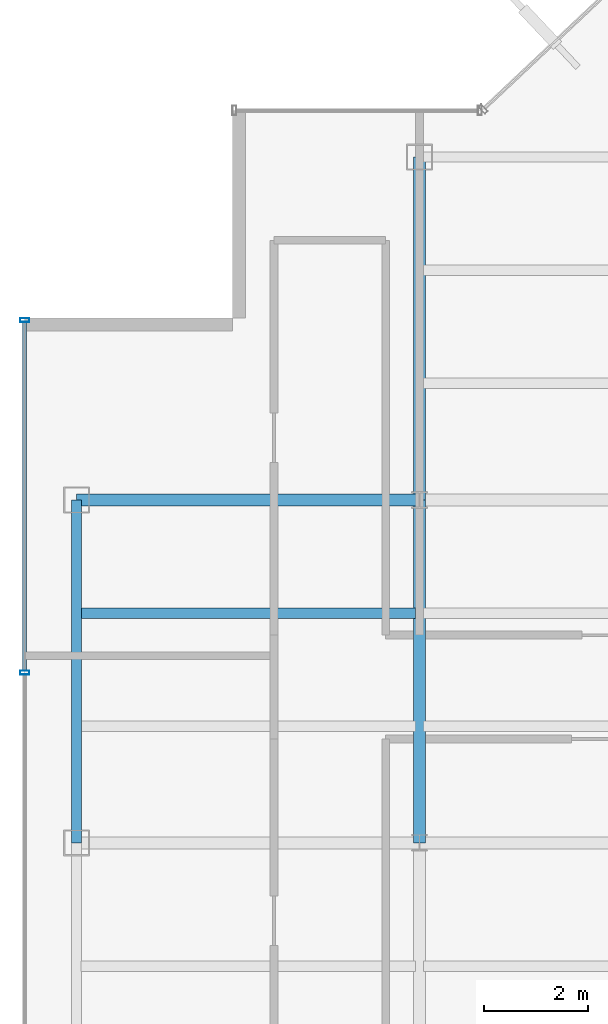
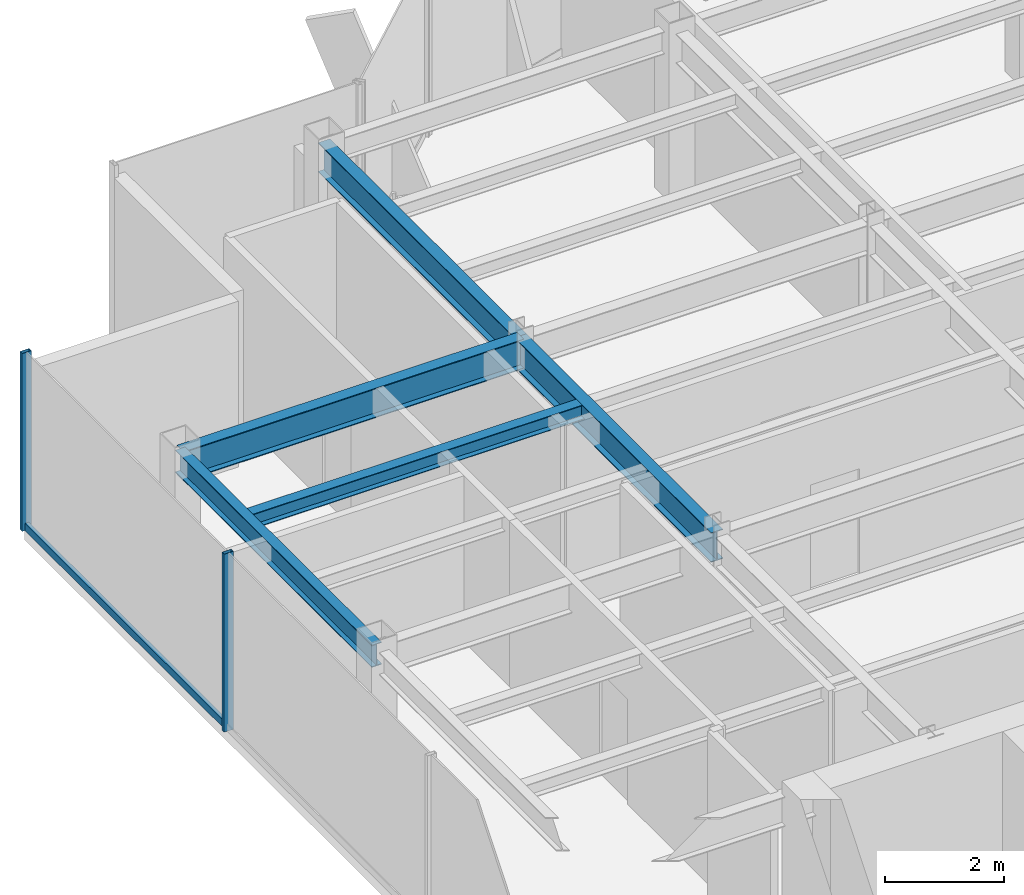
# One storey, part 7 of 22: 5 beams, 3 members, 1 element without a shape of its own.
"""IFC4 building model written with IfcOpenShell, lengths in metres."""

from ifc_helpers import new_model, si_unit, derived_unit, direction, frame, origin, origin_2d, place, context, subcontext, project, spatial, hollow_rectangle, i_section, extrude, source, transform, mapped, material, material_profile, profile_set, type_object, element, aggregate, save


model = new_model("IFC4")

# Units and contexts
model_context = context("Model", 3, precision=1e-05, world=origin(), true_north=direction((0.0, 1.0)))
body_context = subcontext(model_context, "Body", "Model", "MODEL_VIEW")
ifc_project = project(units=[si_unit("LENGTHUNIT", "METRE"), si_unit("AREAUNIT", "SQUARE_METRE"), si_unit("VOLUMEUNIT", "CUBIC_METRE"), si_unit("PLANEANGLEUNIT", "RADIAN"), si_unit("MASSUNIT", "GRAM", prefix="KILO"), derived_unit("THERMALTRANSMITTANCEUNIT", [(si_unit("POWERUNIT", "WATT"), 1), (si_unit("LENGTHUNIT", "METRE"), -2), (si_unit("THERMODYNAMICTEMPERATUREUNIT", "KELVIN"), -1)])], contexts=[model_context])

# Site, building, storey
site_placement = place(None, origin())
site = spatial("IfcSite", under=ifc_project, at=site_placement, CompositionType="ELEMENT")
building_placement = place(site_placement, origin())
building = spatial("IfcBuilding", under=site, at=building_placement, Name="Skarnbrae Concourse Arena and Tower", CompositionType="ELEMENT")
storey_placement = place(building_placement, frame((0.0, 0.0, 273.39990234375)))
storey = spatial("IfcBuildingStorey", under=building, at=storey_placement, Name="L71", CompositionType="ELEMENT", Elevation=273.39990234375)

# Beams
ifc_material_1 = material(Name="Steel CSA G40.21 350W", Category="steel")
ifc_material_profile_1 = material_profile(ifc_material_1, i_section(OverallWidth=0.22802734375, OverallDepth=0.60791015625, WebThickness=0.01123046875, FlangeThickness=0.017333984375, at=origin_2d()), Name="W610X113")
ifc_profile_set_1 = profile_set([ifc_material_profile_1], Name="Steel CSA G40.21 350W")
beam_type_1 = type_object("IfcBeamType", Name="BM-GIRD-W610X113", PredefinedType="BEAM", material=ifc_profile_set_1)
shared_shape_1 = source(origin(), body_context, "Body", "SweptSolid", [
    extrude(i_section(OverallWidth=0.22802734375, OverallDepth=0.60791015625, WebThickness=0.01123046875, FlangeThickness=0.017333984375, at=origin_2d()), origin(), (0.0, 0.0, 1.0), 6.60009765625),
])
for number, where, z_axis, x_axis, name in (
    (1, (1.0, 27.800048828125, 3.09619140625), (1.0, 0.0, 0.0), (0.0, 1.0, 0.0), "L71 Primary E-W girder Y27.8-1"),
    (2, (7.60009765625, 21.199951171875, 3.09619140625), (0.0, 1.0, 0.0), (-1.0, 0.0, 0.0), "L71 Primary N-S girder X7.6-2"),
):
    element("IfcBeam", number, at=place(storey_placement, frame(where, z_axis=z_axis, x_axis=x_axis)), inside=storey, type_object=beam_type_1, Name=name, PredefinedType="BEAM", context=body_context, shape_type="MappedRepresentation", body=[
        mapped(shared_shape_1, transform((0.0, 0.0, 0.0))),
    ])
ifc_material_profile_2 = material_profile(ifc_material_1, i_section(OverallWidth=0.19091796875, OverallDepth=0.4599609375, WebThickness=0.010009765625, FlangeThickness=0.01611328125, at=origin_2d()), Name="W460X82")
ifc_profile_set_2 = profile_set([ifc_material_profile_2], Name="Steel CSA G40.21 350W")
beam_type_2 = type_object("IfcBeamType", Name="BM-SPAN-W460X82", PredefinedType="SPANDREL", material=ifc_profile_set_2)
shared_shape_2 = source(origin(), body_context, "Body", "SweptSolid", [
    extrude(i_section(OverallWidth=0.19091796875, OverallDepth=0.4599609375, WebThickness=0.010009765625, FlangeThickness=0.01611328125, at=origin_2d()), origin(), (0.0, 0.0, 1.0), 6.60009765625),
])
beam_1_placement = place(storey_placement, frame((1.0, 21.199951171875, 3.170166015625), z_axis=(0.0, 1.0, 0.0), x_axis=(-1.0, 0.0, 0.0)))
element("IfcBeam", 3, at=beam_1_placement, inside=storey, type_object=beam_type_2, Name="L71 Perimeter spandrel X1.0-3", PredefinedType="SPANDREL", context=body_context, shape_type="MappedRepresentation", body=[
    mapped(shared_shape_2, transform((0.0, 0.0, 0.0))),
])
shared_shape_3 = source(origin(), body_context, "Body", "SweptSolid", [
    extrude(i_section(OverallWidth=0.22802734375, OverallDepth=0.60791015625, WebThickness=0.01123046875, FlangeThickness=0.017333984375, at=origin_2d()), origin(), (0.0, 0.0, 1.0), 6.599853515625),
])
beam_2_placement = place(storey_placement, frame((7.60009765625, 27.800048828125, 3.09619140625), z_axis=(0.0, 1.0, 0.0), x_axis=(-1.0, 0.0, 0.0)))
element("IfcBeam", 4, at=beam_2_placement, inside=storey, type_object=beam_type_1, Name="L71 Primary N-S girder X7.6-3", PredefinedType="BEAM", context=body_context, shape_type="MappedRepresentation", body=[
    mapped(shared_shape_3, transform((0.0, 0.0, 0.0))),
])
ifc_material_profile_3 = material_profile(ifc_material_1, i_section(OverallWidth=0.202880859375, OverallDepth=0.302978515625, WebThickness=0.007568359375, FlangeThickness=0.01318359375, at=origin_2d()), Name="W310X60")
ifc_profile_set_3 = profile_set([ifc_material_profile_3], Name="Steel CSA G40.21 350W")
beam_type_3 = type_object("IfcBeamType", Name="BM-JOIST-W310X60", PredefinedType="JOIST", material=ifc_profile_set_3)
shared_shape_4 = source(origin(), body_context, "Body", "SweptSolid", [
    extrude(i_section(OverallWidth=0.202880859375, OverallDepth=0.302978515625, WebThickness=0.007568359375, FlangeThickness=0.01318359375, at=origin_2d()), origin(), (0.0, 0.0, 1.0), 6.43994140625),
])
beam_3_placement = place(storey_placement, frame((1.080078125, 25.6220703125, 3.24853515625), z_axis=(1.0, 0.0, 0.0), x_axis=(0.0, 1.0, 0.0)))
element("IfcBeam", 5, at=beam_3_placement, inside=storey, type_object=beam_type_3, Name="L71 Secondary floor joist 2.2.1", PredefinedType="JOIST", context=body_context, shape_type="MappedRepresentation", body=[
    mapped(shared_shape_4, transform((0.0, 0.0, 0.0))),
])

# Curtain wall, members
ifc_material_2 = material(Name="Bronze anodised aluminium 6063-T6", Category="aluminium")
curtain_wall_type = type_object("IfcCurtainWallType", Name="CW-SYS-05-HIGHZONE", PredefinedType="USERDEFINED", material=ifc_material_2)
curtain_wall_placement = place(storey_placement, origin())
curtain_wall = element("IfcCurtainWall", 6, at=curtain_wall_placement, inside=storey, type_object=curtain_wall_type, Name="L71 Unitised curtain wall CW-L71-E18", ObjectType="UNITISED CURTAIN WALL", PredefinedType="USERDEFINED")
ifc_material_profile_4 = material_profile(ifc_material_2, hollow_rectangle(XDim=0.074951171875, YDim=0.14990234375, WallThickness=0.00390625, at=origin_2d()), Name="ALU-TRAN-75X150")
ifc_profile_set_4 = profile_set([ifc_material_profile_4], Name="Bronze anodised aluminium 6063-T6")
member_type_1 = type_object("IfcMemberType", Name="CWT-CW-05", PredefinedType="USERDEFINED", material=ifc_profile_set_4)
shared_shape_5 = source(origin(), body_context, "Body", "SweptSolid", [
    extrude(hollow_rectangle(XDim=0.074951171875, YDim=0.14990234375, WallThickness=0.00390625, at=origin_2d()), origin(), (0.0, 0.0, 1.0), 6.712646484375),
])
member_1_placement = place(storey_placement, frame((0.0, 31.22509765625, 0.0751953125), z_axis=(0.0, -1.0, 0.0), x_axis=(1.0, 0.0, 0.0)))
member_1 = element("IfcMember", 7, at=member_1_placement, type_object=member_type_1, Name="CW-L71-E18 Transom 1", ObjectType="TRANSOM", PredefinedType="USERDEFINED", context=body_context, shape_type="MappedRepresentation", body=[
    mapped(shared_shape_5, transform((0.0, 0.0, 0.0))),
])
ifc_material_profile_5 = material_profile(ifc_material_2, hollow_rectangle(XDim=0.074951171875, YDim=0.179931640625, WallThickness=0.00390625, at=origin_2d()), Name="ALU-MULL-75X180")
ifc_profile_set_5 = profile_set([ifc_material_profile_5], Name="Bronze anodised aluminium 6063-T6")
member_type_2 = type_object("IfcMemberType", Name="CWM-CW-05", PredefinedType="MULLION", material=ifc_profile_set_5)
shared_shape_6 = source(origin(), body_context, "Body", "SweptSolid", [
    extrude(hollow_rectangle(XDim=0.074951171875, YDim=0.179931640625, WallThickness=0.00390625, at=origin_2d()), origin(), (0.0, 0.0, 1.0), 3.650146484375),
])
member_2_placement = place(storey_placement, frame((0.0, 31.262451171875, 0.0), z_axis=(0.0, 0.0, 1.0), x_axis=(0.0, -1.0, 0.0)))
member_2 = element("IfcMember", 8, at=member_2_placement, type_object=member_type_2, Name="CW-L71-E18 Mullion 1", PredefinedType="MULLION", context=body_context, shape_type="MappedRepresentation", body=[
    mapped(shared_shape_6, transform((0.0, 0.0, 0.0))),
])
member_3_placement = place(storey_placement, frame((0.0, 24.47509765625, 0.0), z_axis=(0.0, 0.0, 1.0), x_axis=(0.0, -1.0, 0.0)))
member_3 = element("IfcMember", 9, at=member_3_placement, type_object=member_type_2, Name="CW-L71-E18 Mullion 2", PredefinedType="MULLION", context=body_context, shape_type="MappedRepresentation", body=[
    mapped(shared_shape_6, transform((0.0, 0.0, 0.0))),
])
aggregate(curtain_wall, [member_2, member_3, member_1])

save(model, "model.ifc")
